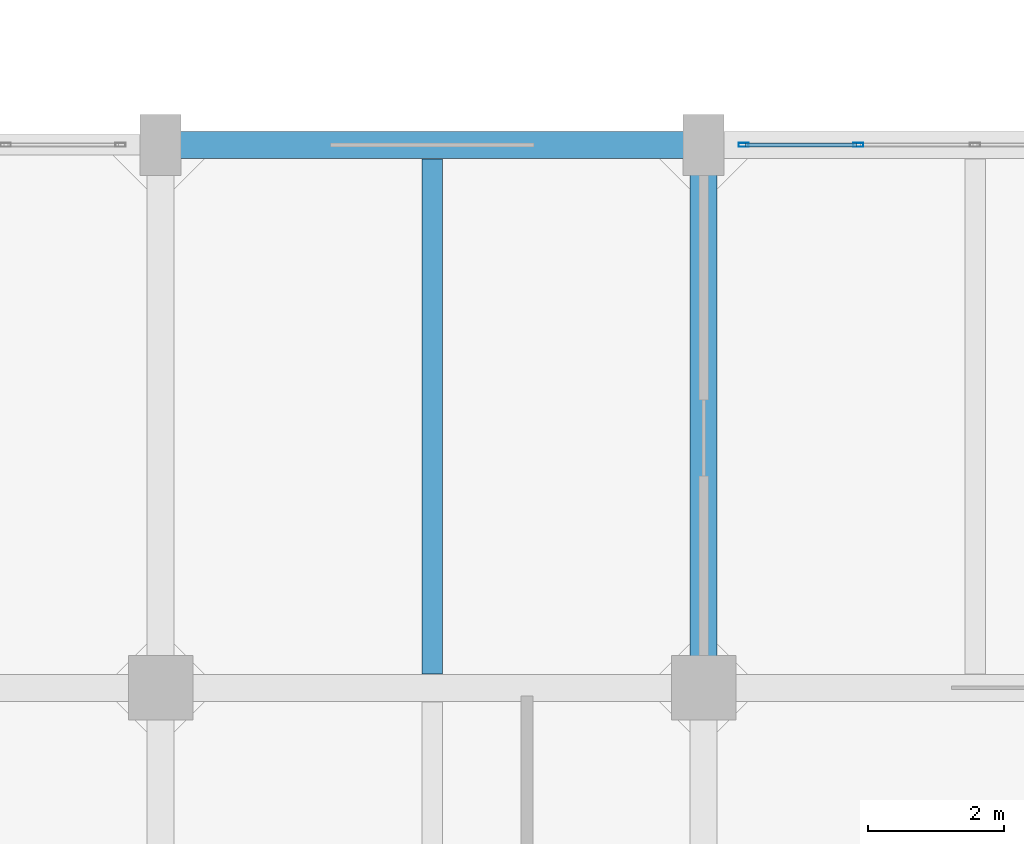
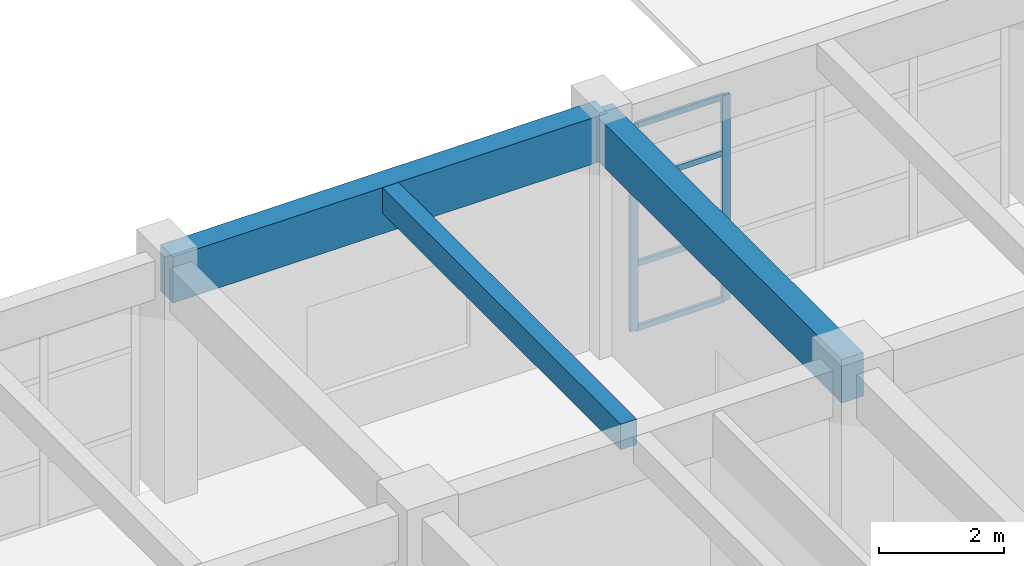
# One storey, part 39 of 63: 6 members, 3 beams, 1 element without a shape of its own.
"""IFC4 building model written with IfcOpenShell, lengths in metres."""

from ifc_helpers import new_model, si_unit, direction, frame, origin, origin_2d, place, context, subcontext, project, spatial, rectangle, hollow_rectangle, extrude, material, layer, layer_set, material_profile, profile_set, type_object, element, aggregate, save


model = new_model("IFC4")

# Units and contexts
model_context = context("Model", 3, precision=1e-05, world=origin(), true_north=direction((0.0, 1.0)))
body_context = subcontext(model_context, "Body", "Model", "MODEL_VIEW")
ifc_project = project(units=[si_unit("LENGTHUNIT", "METRE"), si_unit("AREAUNIT", "SQUARE_METRE"), si_unit("VOLUMEUNIT", "CUBIC_METRE"), si_unit("PLANEANGLEUNIT", "RADIAN"), si_unit("MASSUNIT", "GRAM", prefix="KILO")], contexts=[model_context])

# Site, building, storey
site_placement = place(None, origin())
site = spatial("IfcSite", under=ifc_project, at=site_placement, CompositionType="ELEMENT")
building_placement = place(site_placement, origin())
building = spatial("IfcBuilding", under=site, at=building_placement, Name="Canggui Botanical Conservatory", CompositionType="ELEMENT")
storey_placement = place(building_placement, frame((0.0, 0.0, 10.199951171875)))
storey = spatial("IfcBuildingStorey", under=building, at=storey_placement, Name="L03", CompositionType="ELEMENT", Elevation=10.199951171875)

# Beams
ifc_material_1 = material(Name="Concrete C35", Category="concrete")
ifc_material_profile_1 = material_profile(ifc_material_1, rectangle(XDim=0.300048828125, YDim=0.5, at=origin_2d()), Name="RB 300x500")
ifc_profile_set_1 = profile_set([ifc_material_profile_1], Name="Concrete C35")
beam_type_1 = type_object("IfcBeamType", Name="BM-JST02", PredefinedType="JOIST", material=ifc_profile_set_1)
beam_1_placement = place(storey_placement, frame((150.0, 74.205078125, 4.300048828125), z_axis=(0.0, 1.0, 0.0), x_axis=(-1.0, 0.0, 0.0)))
element("IfcBeam", 1, at=beam_1_placement, inside=storey, type_object=beam_type_1, Name="Secondary Floor Joist L03-2-7", PredefinedType="JOIST", context=body_context, shape_type="SweptSolid", body=[
    extrude(rectangle(XDim=0.300048828125, YDim=0.5, at=origin_2d()), origin(), (0.0, 0.0, 1.0), 7.58984375),
])
ifc_material_profile_2 = material_profile(ifc_material_1, rectangle(XDim=0.39990234375, YDim=0.89990234375, at=origin_2d()), Name="RB 400x900")
ifc_profile_set_2 = profile_set([ifc_material_profile_2], Name="Concrete C35")
beam_type_2 = type_object("IfcBeamType", Name="BM-KL07", PredefinedType="BEAM", material=ifc_profile_set_2)
beam_2_placement = place(storey_placement, frame((146.0, 82.0, 4.10009765625), z_axis=(1.0, 0.0, 0.0), x_axis=(0.0, 1.0, 0.0)))
element("IfcBeam", 2, at=beam_2_placement, inside=storey, type_object=beam_type_2, Name="Frame Girder L03 Y82-2", PredefinedType="BEAM", context=body_context, shape_type="SweptSolid", body=[
    extrude(rectangle(XDim=0.39990234375, YDim=0.89990234375, at=origin_2d()), origin(), (0.0, 0.0, 1.0), 8.0),
])
ifc_material_profile_3 = material_profile(ifc_material_1, rectangle(XDim=0.39990234375, YDim=0.85009765625, at=origin_2d()), Name="RB 400x850")
ifc_profile_set_3 = profile_set([ifc_material_profile_3], Name="Concrete C35")
beam_type_3 = type_object("IfcBeamType", Name="BM-KL08", PredefinedType="BEAM", material=ifc_profile_set_3)
beam_3_placement = place(storey_placement, frame((154.0, 74.0, 4.125), z_axis=(0.0, 1.0, 0.0), x_axis=(-1.0, 0.0, 0.0)))
element("IfcBeam", 3, at=beam_3_placement, inside=storey, type_object=beam_type_3, Name="Frame Girder L03 X154-7", PredefinedType="BEAM", context=body_context, shape_type="SweptSolid", body=[
    extrude(rectangle(XDim=0.39990234375, YDim=0.85009765625, at=origin_2d()), origin(), (0.0, 0.0, 1.0), 8.0),
])

# Curtain wall, members
ifc_material_2 = material(Name="Thermally Broken Aluminium", Category="aluminium")
ifc_layer = layer(ifc_material_2, 0.14990234375, Name="Thermally Broken Aluminium", Category="aluminium")
ifc_layer_set = layer_set([ifc_layer], Name="Thermally Broken Aluminium")
curtain_wall_type = type_object("IfcCurtainWallType", Name="CW-UNIT-C", PredefinedType="USERDEFINED", material=ifc_layer_set)
curtain_wall_placement = place(storey_placement, origin())
curtain_wall = element("IfcCurtainWall", 4, at=curtain_wall_placement, inside=storey, type_object=curtain_wall_type, Name="Facade Curtain Wall CW-TWR-L03-17", ObjectType="UNITISED CURTAIN WALL", PredefinedType="USERDEFINED")
ifc_material_profile_4 = material_profile(ifc_material_2, hollow_rectangle(XDim=0.06005859375, YDim=0.14990234375, WallThickness=0.00341796875, at=origin_2d()), Name="CWM 60x150x3.5")
ifc_profile_set_4 = profile_set([ifc_material_profile_4], Name="Thermally Broken Aluminium")
member_type_1 = type_object("IfcMemberType", Name="CWM-03", PredefinedType="MULLION", material=ifc_profile_set_4)
member_1_placement = place(storey_placement, frame((154.590087890625, 82.0, 0.0), z_axis=(0.0, 0.0, 1.0), x_axis=(0.0, 1.0, 0.0)))
member_1 = element("IfcMember", 5, at=member_1_placement, type_object=member_type_1, Name="CW-03 mullion 1", PredefinedType="MULLION", context=body_context, shape_type="SweptSolid", body=[
    extrude(hollow_rectangle(XDim=0.06005859375, YDim=0.14990234375, WallThickness=0.00341796875, at=origin_2d()), origin(), (0.0, 0.0, 1.0), 4.0),
])
member_2_placement = place(storey_placement, frame((156.280029296875, 82.0, 0.0), z_axis=(0.0, 0.0, 1.0), x_axis=(0.0, 1.0, 0.0)))
member_2 = element("IfcMember", 6, at=member_2_placement, type_object=member_type_1, Name="CW-03 mullion 2", PredefinedType="MULLION", context=body_context, shape_type="SweptSolid", body=[
    extrude(hollow_rectangle(XDim=0.06005859375, YDim=0.14990234375, WallThickness=0.00341796875, at=origin_2d()), origin(), (0.0, 0.0, 1.0), 4.0),
])
ifc_material_profile_5 = material_profile(ifc_material_2, hollow_rectangle(XDim=0.054931640625, YDim=0.110107421875, WallThickness=0.0029296875, at=origin_2d()), Name="CWT 55x110x3")
ifc_profile_set_5 = profile_set([ifc_material_profile_5], Name="Thermally Broken Aluminium")
member_type_2 = type_object("IfcMemberType", Name="CWT-03", PredefinedType="USERDEFINED", material=ifc_profile_set_5)
member_3_placement = place(storey_placement, frame((154.6201171875, 82.0, 0.027587890625), z_axis=(1.0, 0.0, 0.0), x_axis=(0.0, 1.0, 0.0)))
member_3 = element("IfcMember", 7, at=member_3_placement, type_object=member_type_2, Name="CW-03 transom 1.1", ObjectType="TRANSOM", PredefinedType="USERDEFINED", context=body_context, shape_type="SweptSolid", body=[
    extrude(hollow_rectangle(XDim=0.054931640625, YDim=0.110107421875, WallThickness=0.0029296875, at=origin_2d()), origin(), (0.0, 0.0, 1.0), 1.6298828125),
])
member_4_placement = place(storey_placement, frame((154.6201171875, 82.0, 1.280029296875), z_axis=(1.0, 0.0, 0.0), x_axis=(0.0, 1.0, 0.0)))
member_4 = element("IfcMember", 8, at=member_4_placement, type_object=member_type_2, Name="CW-03 transom 1.2", ObjectType="TRANSOM", PredefinedType="USERDEFINED", context=body_context, shape_type="SweptSolid", body=[
    extrude(hollow_rectangle(XDim=0.054931640625, YDim=0.110107421875, WallThickness=0.0029296875, at=origin_2d()), origin(), (0.0, 0.0, 1.0), 1.6298828125),
])
member_5_placement = place(storey_placement, frame((154.6201171875, 82.0, 2.880126953125), z_axis=(1.0, 0.0, 0.0), x_axis=(0.0, 1.0, 0.0)))
member_5 = element("IfcMember", 9, at=member_5_placement, type_object=member_type_2, Name="CW-03 transom 1.3", ObjectType="TRANSOM", PredefinedType="USERDEFINED", context=body_context, shape_type="SweptSolid", body=[
    extrude(hollow_rectangle(XDim=0.054931640625, YDim=0.110107421875, WallThickness=0.0029296875, at=origin_2d()), origin(), (0.0, 0.0, 1.0), 1.6298828125),
])
member_6_placement = place(storey_placement, frame((154.6201171875, 82.0, 3.97265625), z_axis=(1.0, 0.0, 0.0), x_axis=(0.0, 1.0, 0.0)))
member_6 = element("IfcMember", 10, at=member_6_placement, type_object=member_type_2, Name="CW-03 transom 1.4", ObjectType="TRANSOM", PredefinedType="USERDEFINED", context=body_context, shape_type="SweptSolid", body=[
    extrude(hollow_rectangle(XDim=0.054931640625, YDim=0.110107421875, WallThickness=0.0029296875, at=origin_2d()), origin(), (0.0, 0.0, 1.0), 1.6298828125),
])
aggregate(curtain_wall, [member_1, member_2, member_3, member_4, member_5, member_6])

save(model, "model.ifc")
